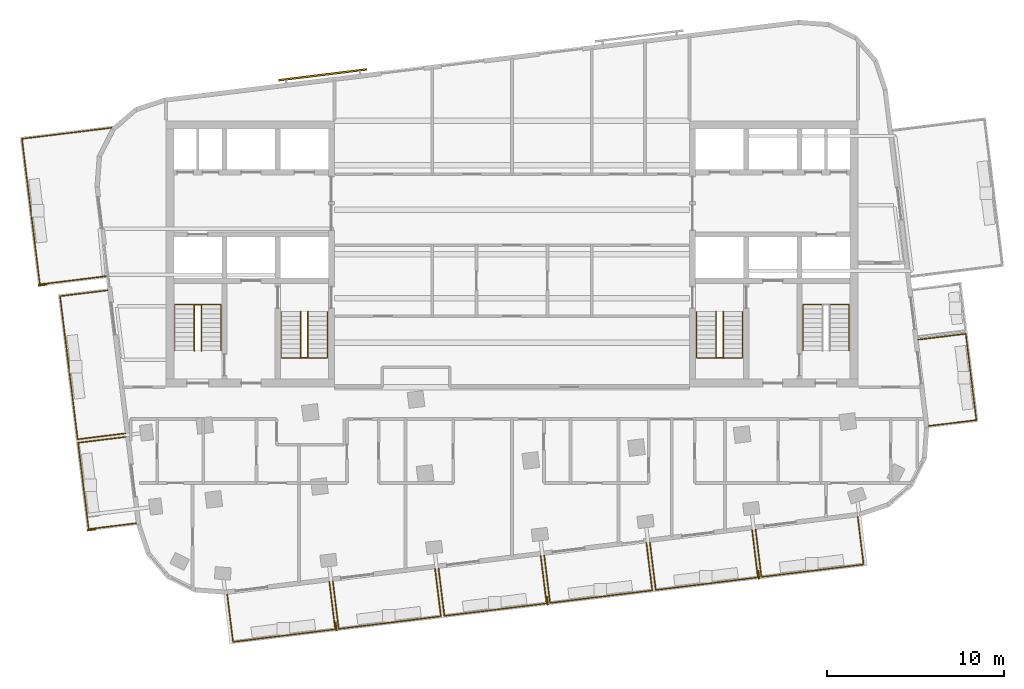
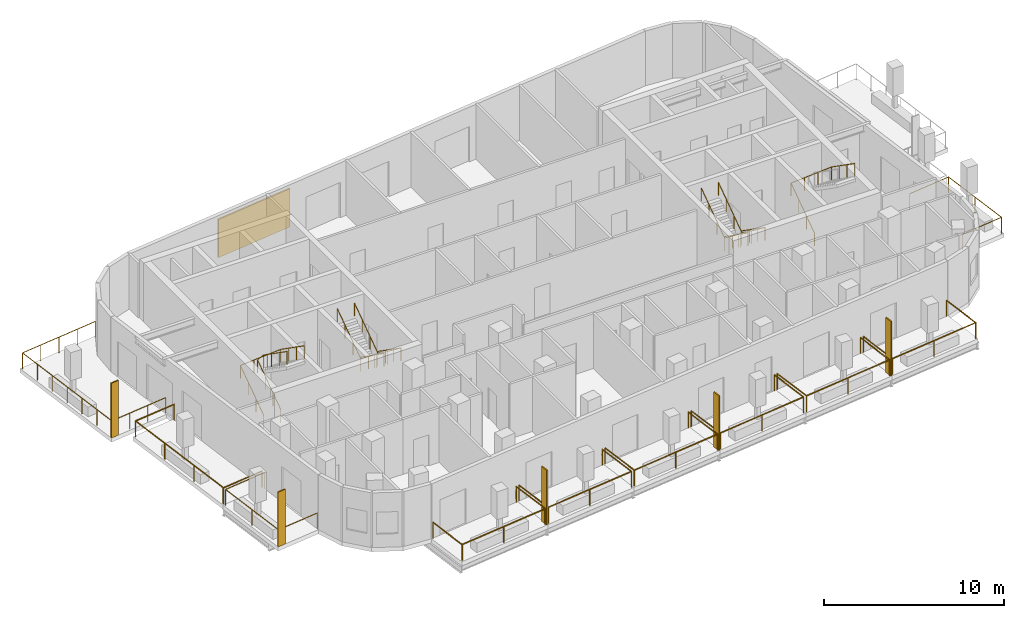
# One storey, part 9 of 11: 17 railings, 6 shading devices.
"""IFC4 building model written with IfcOpenShell, lengths in metres."""

from ifc_helpers import new_model, si_unit, direction, frame, origin, origin_2d, place, context, subcontext, project, spatial, rectangle, circle, extrude, material, layer, layer_set, type_object, element, save


model = new_model("IFC4")

# Units and contexts
model_context = context("Model", 3, precision=1e-05, world=origin(), true_north=direction((0.0, 1.0)))
body_context = subcontext(model_context, "Body", "Model", "MODEL_VIEW")
ifc_project = project(units=[si_unit("LENGTHUNIT", "METRE"), si_unit("AREAUNIT", "SQUARE_METRE"), si_unit("VOLUMEUNIT", "CUBIC_METRE"), si_unit("PLANEANGLEUNIT", "RADIAN"), si_unit("MASSUNIT", "GRAM", prefix="KILO")], contexts=[model_context])

# Site, building, storey
site_placement = place(None, origin())
site = spatial("IfcSite", under=ifc_project, at=site_placement, CompositionType="ELEMENT")
building_placement = place(site_placement, origin())
building = spatial("IfcBuilding", under=site, at=building_placement, Name="Torana Hotel and Residences", CompositionType="ELEMENT")
storey_placement = place(building_placement, frame((0.0, 0.0, 330.60009765625)))
storey = spatial("IfcBuildingStorey", under=building, at=storey_placement, Name="L87", CompositionType="ELEMENT", Elevation=330.60009765625)

# Shading devices
ifc_material_1 = material(Name="Black powder coated aluminium", Category="aluminium")
ifc_layer_1 = layer(ifc_material_1, 0.080078125)
ifc_layer_set_1 = layer_set([ifc_layer_1], Name="FN1 VERTICAL FIN 500x80")
shading_device_type_1 = type_object("IfcShadingDeviceType", Name="FN1 VERTICAL FIN 500x80", PredefinedType="USERDEFINED", material=ifc_layer_set_1)
for number, where, z_axis, x_axis, name in (
    (1, (-9.921142578125, -28.4931640625, 0.0), (0.0, 0.0, 1.0), (-0.99254657704, -0.121865878765, 0.0), "Fin 01"),
    (2, (1.989501953125, -27.03076171875, 0.0), (0.0, 0.0, 1.0), (-0.99254657704, -0.121865878765, 0.0), "Fin 03"),
    (3, (13.89990234375, -25.568359375, 0.0), (0.0, 0.0, 1.0), (-0.99254657704, -0.121865878765, 0.0), "Fin 05"),
    (4, (-23.6982421875, -23.04150390625, 0.0), (0.0, 0.0, 1.0), (-0.121881469635, 0.992544662652, 0.0), "Fin 07"),
    (5, (-26.44970703125, -9.2490234375, 0.0), (0.0, 0.0, 1.0), (-0.121871075725, 0.992545938938, 0.0), "Fin 09"),
):
    element("IfcShadingDevice", number, at=place(storey_placement, frame(where, z_axis=z_axis, x_axis=x_axis)), inside=storey, type_object=shading_device_type_1, Name=name, ObjectType="FIN", PredefinedType="USERDEFINED", context=body_context, shape_type="SweptSolid", body=[
        extrude(rectangle(XDim=0.080078125, YDim=0.5, at=origin_2d()), origin(), (0.0, 0.0, 1.0), 3.719970703125),
    ])

# Railings
ifc_material_2 = material(Name="Laminated glass balustrade with black handrail", Category="glass")
railing_type_1 = type_object("IfcRailingType", Name="GR1 BALCONY GUARD 1100 GLASS", PredefinedType="GUARDRAIL", material=ifc_material_2)
railing_1_placement = place(storey_placement, frame((-10.29150390625, -25.969482421875, 0.0)))
element("IfcRailing", 6, at=railing_1_placement, inside=storey, type_object=railing_type_1, Name="Balcony guard 01", PredefinedType="GUARDRAIL", context=body_context, shape_type="SweptSolid", body=[
    extrude(circle(Radius=0.02392578125, at=origin_2d()), frame((0.0, 0.0, 1.076171875), z_axis=(0.121886613265, -0.992544031017, 0.0), x_axis=(0.992544031017, 0.121886613265, 0.0)), (0.0, 0.0, 1.0), 2.699951171875),
    extrude(circle(Radius=0.02392578125, at=origin_2d()), frame((0.3291015625, -2.679931640625, 1.076171875), z_axis=(-0.992547475119, -0.121858564057, 0.0), x_axis=(0.121858564057, -0.992547475119, 0.0)), (0.0, 0.0, 1.0), 5.800048828125),
    extrude(circle(Radius=0.02392578125, at=origin_2d()), frame((-5.427734375, -3.38671875, 1.076171875), z_axis=(-0.121797534772, 0.992554965996, 0.0), x_axis=(-0.992554965996, -0.121797534772, 0.0)), (0.0, 0.0, 1.0), 2.699951171875),
    extrude(circle(Radius=0.02099609375, at=origin_2d()), origin(), (0.0, 0.0, 1.0), 1.052001953125),
    extrude(circle(Radius=0.02099609375, at=origin_2d()), frame((0.3291015625, -2.679931640625, 0.0)), (0.0, 0.0, 1.0), 1.052001953125),
    extrude(circle(Radius=0.02099609375, at=origin_2d()), frame((-2.54931640625, -3.033203125, 0.0)), (0.0, 0.0, 1.0), 1.052001953125),
    extrude(circle(Radius=0.02099609375, at=origin_2d()), frame((-5.427734375, -3.38671875, 0.0)), (0.0, 0.0, 1.0), 1.052001953125),
    extrude(circle(Radius=0.02099609375, at=origin_2d()), frame((-5.756591796875, -0.706787109375, 0.0)), (0.0, 0.0, 1.0), 1.052001953125),
])
for number, where, name in (
    (7, (-4.336181640625, -25.23828125, 0.0), "Balcony guard 02"),
    (8, (1.619140625, -24.507080078125, 0.0), "Balcony guard 03"),
):
    element("IfcRailing", number, at=place(storey_placement, frame(where)), inside=storey, type_object=railing_type_1, Name=name, PredefinedType="GUARDRAIL", context=body_context, shape_type="SweptSolid", body=[
        extrude(circle(Radius=0.02392578125, at=origin_2d()), frame((0.0, 0.0, 1.076171875), z_axis=(0.121886613265, -0.992544031017, 0.0), x_axis=(0.992544031017, 0.121886613265, 0.0)), (0.0, 0.0, 1.0), 2.699951171875),
        extrude(circle(Radius=0.02392578125, at=origin_2d()), frame((0.3291015625, -2.679931640625, 1.076171875), z_axis=(-0.992547475119, -0.121858564057, 0.0), x_axis=(0.121858564057, -0.992547475119, 0.0)), (0.0, 0.0, 1.0), 5.800048828125),
        extrude(circle(Radius=0.02392578125, at=origin_2d()), frame((-5.427734375, -3.38671875, 1.076171875), z_axis=(-0.121886613265, 0.992544031017, 0.0), x_axis=(-0.992544031017, -0.121886613265, 0.0)), (0.0, 0.0, 1.0), 2.699951171875),
        extrude(circle(Radius=0.02099609375, at=origin_2d()), origin(), (0.0, 0.0, 1.0), 1.052001953125),
        extrude(circle(Radius=0.02099609375, at=origin_2d()), frame((0.3291015625, -2.679931640625, 0.0)), (0.0, 0.0, 1.0), 1.052001953125),
        extrude(circle(Radius=0.02099609375, at=origin_2d()), frame((-2.54931640625, -3.033203125, 0.0)), (0.0, 0.0, 1.0), 1.052001953125),
        extrude(circle(Radius=0.02099609375, at=origin_2d()), frame((-5.427734375, -3.38671875, 0.0)), (0.0, 0.0, 1.0), 1.052001953125),
        extrude(circle(Radius=0.02099609375, at=origin_2d()), frame((-5.7568359375, -0.706787109375, 0.0)), (0.0, 0.0, 1.0), 1.052001953125),
    ])
railing_2_placement = place(storey_placement, frame((7.57421875, -23.77587890625, 0.0)))
element("IfcRailing", 9, at=railing_2_placement, inside=storey, type_object=railing_type_1, Name="Balcony guard 04", PredefinedType="GUARDRAIL", context=body_context, shape_type="SweptSolid", body=[
    extrude(circle(Radius=0.02392578125, at=origin_2d()), frame((0.0, 0.0, 1.076171875), z_axis=(0.121886613265, -0.992544031017, 0.0), x_axis=(0.992544031017, 0.121886613265, 0.0)), (0.0, 0.0, 1.0), 2.699951171875),
    extrude(circle(Radius=0.02392578125, at=origin_2d()), frame((0.3291015625, -2.679931640625, 1.076171875), z_axis=(-0.992546850023, -0.121863655406, 0.0), x_axis=(0.121863655406, -0.992546850023, 0.0)), (0.0, 0.0, 1.0), 5.7998046875),
    extrude(circle(Radius=0.02392578125, at=origin_2d()), frame((-5.427490234375, -3.38671875, 1.076171875), z_axis=(-0.121886613265, 0.992544031017, 0.0), x_axis=(-0.992544031017, -0.121886613265, 0.0)), (0.0, 0.0, 1.0), 2.699951171875),
    extrude(circle(Radius=0.02099609375, at=origin_2d()), origin(), (0.0, 0.0, 1.0), 1.052001953125),
    extrude(circle(Radius=0.02099609375, at=origin_2d()), frame((0.3291015625, -2.679931640625, 0.0)), (0.0, 0.0, 1.0), 1.052001953125),
    extrude(circle(Radius=0.02099609375, at=origin_2d()), frame((-2.54931640625, -3.033203125, 0.0)), (0.0, 0.0, 1.0), 1.052001953125),
    extrude(circle(Radius=0.02099609375, at=origin_2d()), frame((-5.427490234375, -3.38671875, 0.0)), (0.0, 0.0, 1.0), 1.052001953125),
    extrude(circle(Radius=0.02099609375, at=origin_2d()), frame((-5.756591796875, -0.706787109375, 0.0)), (0.0, 0.0, 1.0), 1.052001953125),
])
for number, where, name in (
    (10, (13.529541015625, -23.044677734375, 0.0), "Balcony guard 05"),
    (11, (19.48486328125, -22.3134765625, 0.0), "Balcony guard 06"),
):
    element("IfcRailing", number, at=place(storey_placement, frame(where)), inside=storey, type_object=railing_type_1, Name=name, PredefinedType="GUARDRAIL", context=body_context, shape_type="SweptSolid", body=[
        extrude(circle(Radius=0.02392578125, at=origin_2d()), frame((0.0, 0.0, 1.076171875), z_axis=(0.121886613265, -0.992544031017, 0.0), x_axis=(0.992544031017, 0.121886613265, 0.0)), (0.0, 0.0, 1.0), 2.699951171875),
        extrude(circle(Radius=0.02392578125, at=origin_2d()), frame((0.3291015625, -2.679931640625, 1.076171875), z_axis=(-0.992547475119, -0.121858564057, 0.0), x_axis=(0.121858564057, -0.992547475119, 0.0)), (0.0, 0.0, 1.0), 5.800048828125),
        extrude(circle(Radius=0.02392578125, at=origin_2d()), frame((-5.427734375, -3.38671875, 1.076171875), z_axis=(-0.121797534772, 0.992554965996, 0.0), x_axis=(-0.992554965996, -0.121797534772, 0.0)), (0.0, 0.0, 1.0), 2.699951171875),
        extrude(circle(Radius=0.02099609375, at=origin_2d()), origin(), (0.0, 0.0, 1.0), 1.052001953125),
        extrude(circle(Radius=0.02099609375, at=origin_2d()), frame((0.3291015625, -2.679931640625, 0.0)), (0.0, 0.0, 1.0), 1.052001953125),
        extrude(circle(Radius=0.02099609375, at=origin_2d()), frame((-2.54931640625, -3.033203125, 0.0)), (0.0, 0.0, 1.0), 1.052001953125),
        extrude(circle(Radius=0.02099609375, at=origin_2d()), frame((-5.427734375, -3.38671875, 0.0)), (0.0, 0.0, 1.0), 1.052001953125),
        extrude(circle(Radius=0.02099609375, at=origin_2d()), frame((-5.756591796875, -0.706787109375, 0.0)), (0.0, 0.0, 1.0), 1.052001953125),
    ])
railing_3_placement = place(storey_placement, frame((-21.174560546875, -22.671142578125, 0.0)))
element("IfcRailing", 12, at=railing_3_placement, inside=storey, type_object=railing_type_1, Name="Balcony guard 07", PredefinedType="GUARDRAIL", context=body_context, shape_type="SweptSolid", body=[
    extrude(circle(Radius=0.02392578125, at=origin_2d()), frame((0.0, 0.0, 1.076171875), z_axis=(-0.992544031017, -0.121886613265, 0.0), x_axis=(0.121886613265, -0.992544031017, 0.0)), (0.0, 0.0, 1.0), 2.699951171875),
    extrude(circle(Radius=0.02392578125, at=origin_2d()), frame((-2.679931640625, -0.3291015625, 1.076171875), z_axis=(-0.121869773493, 0.992546098833, 0.0), x_axis=(-0.992546098833, -0.121869773493, 0.0)), (0.0, 0.0, 1.0), 4.900146484375),
    extrude(circle(Radius=0.02392578125, at=origin_2d()), frame((-3.277099609375, 4.534423828125, 1.076171875), z_axis=(0.992554965996, 0.121797534772, 0.0), x_axis=(-0.121797534772, 0.992554965996, 0.0)), (0.0, 0.0, 1.0), 2.699951171875),
    extrude(circle(Radius=0.02099609375, at=origin_2d()), origin(), (0.0, 0.0, 1.0), 1.052001953125),
    extrude(circle(Radius=0.02099609375, at=origin_2d()), frame((-2.679931640625, -0.3291015625, 0.0)), (0.0, 0.0, 1.0), 1.052001953125),
    extrude(circle(Radius=0.02099609375, at=origin_2d()), frame((-2.978515625, 2.1025390625, 0.0)), (0.0, 0.0, 1.0), 1.052001953125),
    extrude(circle(Radius=0.02099609375, at=origin_2d()), frame((-3.277099609375, 4.534423828125, 0.0)), (0.0, 0.0, 1.0), 1.052001953125),
    extrude(circle(Radius=0.02099609375, at=origin_2d()), frame((-0.59716796875, 4.86328125, 0.0)), (0.0, 0.0, 1.0), 1.052001953125),
])
railing_4_placement = place(storey_placement, frame((-21.796142578125, -17.609130859375, 0.0)))
element("IfcRailing", 13, at=railing_4_placement, inside=storey, type_object=railing_type_1, Name="Balcony guard 08", PredefinedType="GUARDRAIL", context=body_context, shape_type="SweptSolid", body=[
    extrude(circle(Radius=0.02392578125, at=origin_2d()), frame((0.0, 0.0, 1.076171875), z_axis=(-0.992544031017, -0.121886613265, 0.0), x_axis=(0.121886613265, -0.992544031017, 0.0)), (0.0, 0.0, 1.0), 2.699951171875),
    extrude(circle(Radius=0.02392578125, at=origin_2d()), frame((-2.679931640625, -0.3291015625, 1.076171875), z_axis=(-0.121845081243, 0.992549130359, 0.0), x_axis=(-0.992549130359, -0.121845081243, 0.0)), (0.0, 0.0, 1.0), 8.125),
    extrude(circle(Radius=0.02392578125, at=origin_2d()), frame((-3.669921875, 7.7353515625, 1.076171875), z_axis=(0.992554965996, 0.121797534772, 0.0), x_axis=(-0.121797534772, 0.992554965996, 0.0)), (0.0, 0.0, 1.0), 2.699951171875),
    extrude(circle(Radius=0.02099609375, at=origin_2d()), origin(), (0.0, 0.0, 1.0), 1.052001953125),
    extrude(circle(Radius=0.02099609375, at=origin_2d()), frame((-2.679931640625, -0.3291015625, 0.0)), (0.0, 0.0, 1.0), 1.052001953125),
    extrude(circle(Radius=0.02099609375, at=origin_2d()), frame((-3.010009765625, 2.359130859375, 0.0)), (0.0, 0.0, 1.0), 1.052001953125),
    extrude(circle(Radius=0.02099609375, at=origin_2d()), frame((-3.33984375, 5.047119140625, 0.0)), (0.0, 0.0, 1.0), 1.052001953125),
    extrude(circle(Radius=0.02099609375, at=origin_2d()), frame((-3.669921875, 7.7353515625, 0.0)), (0.0, 0.0, 1.0), 1.052001953125),
    extrude(circle(Radius=0.02099609375, at=origin_2d()), frame((-0.989990234375, 8.064208984375, 0.0)), (0.0, 0.0, 1.0), 1.052001953125),
])
railing_5_placement = place(storey_placement, frame((-22.8837890625, -8.750732421875, 0.0)))
element("IfcRailing", 14, at=railing_5_placement, inside=storey, type_object=railing_type_1, Name="Balcony guard 09", PredefinedType="GUARDRAIL", context=body_context, shape_type="SweptSolid", body=[
    extrude(circle(Radius=0.02392578125, at=origin_2d()), frame((0.0, 0.0, 1.076171875), z_axis=(-0.992544975267, -0.121878923824, 0.0), x_axis=(0.121878923824, -0.992544975267, 0.0)), (0.0, 0.0, 1.0), 3.75),
    extrude(circle(Radius=0.02392578125, at=origin_2d()), frame((-3.721923828125, -0.45703125, 1.076171875), z_axis=(-0.121878024543, 0.992545085693, 0.0), x_axis=(-0.992545085693, -0.121878024543, 0.0)), (0.0, 0.0, 1.0), 8.262939453125),
    extrude(circle(Radius=0.02392578125, at=origin_2d()), frame((-4.72900390625, 7.744384765625, 1.076171875), z_axis=(0.992542638755, 0.12189795016, 0.0), x_axis=(-0.12189795016, 0.992542638755, 0.0)), (0.0, 0.0, 1.0), 5.0771484375),
    extrude(circle(Radius=0.02099609375, at=origin_2d()), origin(), (0.0, 0.0, 1.0), 1.052001953125),
    extrude(circle(Radius=0.02099609375, at=origin_2d()), frame((-1.24072265625, -0.15234375, 0.0)), (0.0, 0.0, 1.0), 1.052001953125),
    extrude(circle(Radius=0.02099609375, at=origin_2d()), frame((-2.481201171875, -0.3046875, 0.0)), (0.0, 0.0, 1.0), 1.052001953125),
    extrude(circle(Radius=0.02099609375, at=origin_2d()), frame((-3.721923828125, -0.45703125, 0.0)), (0.0, 0.0, 1.0), 1.052001953125),
    extrude(circle(Radius=0.02099609375, at=origin_2d()), frame((-3.8896484375, 0.909912109375, 0.0)), (0.0, 0.0, 1.0), 1.052001953125),
    extrude(circle(Radius=0.02099609375, at=origin_2d()), frame((-4.0576171875, 2.27685546875, 0.0)), (0.0, 0.0, 1.0), 1.052001953125),
    extrude(circle(Radius=0.02099609375, at=origin_2d()), frame((-4.2255859375, 3.6435546875, 0.0)), (0.0, 0.0, 1.0), 1.052001953125),
    extrude(circle(Radius=0.02099609375, at=origin_2d()), frame((-4.393310546875, 5.010498046875, 0.0)), (0.0, 0.0, 1.0), 1.052001953125),
    extrude(circle(Radius=0.02099609375, at=origin_2d()), frame((-4.56103515625, 6.37744140625, 0.0)), (0.0, 0.0, 1.0), 1.052001953125),
    extrude(circle(Radius=0.02099609375, at=origin_2d()), frame((-4.72900390625, 7.744384765625, 0.0)), (0.0, 0.0, 1.0), 1.052001953125),
    extrude(circle(Radius=0.02099609375, at=origin_2d()), frame((-3.46923828125, 7.899169921875, 0.0)), (0.0, 0.0, 1.0), 1.052001953125),
    extrude(circle(Radius=0.02099609375, at=origin_2d()), frame((-2.20947265625, 8.0537109375, 0.0)), (0.0, 0.0, 1.0), 1.052001953125),
    extrude(circle(Radius=0.02099609375, at=origin_2d()), frame((-0.949462890625, 8.20849609375, 0.0)), (0.0, 0.0, 1.0), 1.052001953125),
    extrude(circle(Radius=0.02099609375, at=origin_2d()), frame((0.310302734375, 8.36328125, 0.0)), (0.0, 0.0, 1.0), 1.052001953125),
])
railing_6_placement = place(storey_placement, frame((22.892822265625, -12.32373046875, 0.0)))
element("IfcRailing", 15, at=railing_6_placement, inside=storey, type_object=railing_type_1, Name="Balcony guard 10", PredefinedType="GUARDRAIL", context=body_context, shape_type="SweptSolid", body=[
    extrude(circle(Radius=0.02392578125, at=origin_2d()), frame((0.0, 0.0, 1.076171875), z_axis=(0.992544031017, 0.121886613265, 0.0), x_axis=(-0.121886613265, 0.992544031017, 0.0)), (0.0, 0.0, 1.0), 2.699951171875),
    extrude(circle(Radius=0.02392578125, at=origin_2d()), frame((2.679931640625, 0.3291015625, 1.076171875), z_axis=(0.121869773493, -0.992546098833, 0.0), x_axis=(0.992546098833, 0.121869773493, 0.0)), (0.0, 0.0, 1.0), 4.900146484375),
    extrude(circle(Radius=0.02392578125, at=origin_2d()), frame((3.277099609375, -4.534423828125, 1.076171875), z_axis=(-0.992554965996, -0.121797534772, 0.0), x_axis=(0.121797534772, -0.992554965996, 0.0)), (0.0, 0.0, 1.0), 2.699951171875),
    extrude(circle(Radius=0.02099609375, at=origin_2d()), origin(), (0.0, 0.0, 1.0), 1.052001953125),
    extrude(circle(Radius=0.02099609375, at=origin_2d()), frame((2.679931640625, 0.3291015625, 0.0)), (0.0, 0.0, 1.0), 1.052001953125),
    extrude(circle(Radius=0.02099609375, at=origin_2d()), frame((2.978515625, -2.1025390625, 0.0)), (0.0, 0.0, 1.0), 1.052001953125),
    extrude(circle(Radius=0.02099609375, at=origin_2d()), frame((3.277099609375, -4.534423828125, 0.0)), (0.0, 0.0, 1.0), 1.052001953125),
    extrude(circle(Radius=0.02099609375, at=origin_2d()), frame((0.59716796875, -4.86328125, 0.0)), (0.0, 0.0, 1.0), 1.052001953125),
])

# Shading device
ifc_material_3 = material(Name="Concrete C40/50 precast", Category="concrete")
ifc_layer_2 = layer(ifc_material_3, 0.10009765625)
ifc_layer_set_2 = layer_set([ifc_layer_2], Name="SC1 PERFORATED BLOCK SCREEN PANEL 100")
shading_device_type_2 = type_object("IfcShadingDeviceType", Name="SC1 PERFORATED BLOCK SCREEN PANEL 100", PredefinedType="USERDEFINED", material=ifc_layer_set_2)
shading_device_placement = place(storey_placement, frame((-10.663330078125, 2.59814453125, 0.499755859375), z_axis=(0.0, 0.0, 1.0), x_axis=(-0.99254657704, -0.121865878765, 0.0)))
element("IfcShadingDevice", 16, at=shading_device_placement, inside=storey, type_object=shading_device_type_2, Name="Perforated block screen L87", ObjectType="SCREEN", PredefinedType="USERDEFINED", context=body_context, shape_type="SweptSolid", body=[
    extrude(rectangle(XDim=5.0, YDim=0.10009765625, at=origin_2d()), origin(), (0.0, 0.0, 1.0), 2.60009765625),
])

# Railings
ifc_material_4 = material(Name="Stainless steel 316", Category="steel")
railing_type_2 = type_object("IfcRailingType", Name="STAIR HANDRAIL HR1 900", PredefinedType="HANDRAIL", material=ifc_material_4)
railing_7_placement = place(storey_placement, frame((-10.39990234375, -10.75, 0.181640625)))
element("IfcRailing", 17, at=railing_7_placement, inside=storey, type_object=railing_type_2, Name="Handrail ST1 L87 O1", PredefinedType="HANDRAIL", context=body_context, shape_type="SweptSolid", body=[
    extrude(circle(Radius=0.02392578125, at=origin_2d()), frame((0.0, 0.0, 0.8759765625), z_axis=(0.0, -0.819484887739, 0.573100792852), x_axis=(1.0, 0.0, 0.0)), (0.0, 0.0, 1.0), 3.1728515625),
    extrude(circle(Radius=0.02392578125, at=origin_2d()), frame((0.0, -2.60009765625, 2.6943359375), z_axis=(-0.997568744571, 0.0, 0.06968930948), x_axis=(0.0, -1.0, 0.0)), (0.0, 0.0, 1.0), 2.6064453125),
    extrude(circle(Radius=0.02392578125, at=origin_2d()), frame((-2.60009765625, -2.60009765625, 2.8759765625), z_axis=(0.0, 0.819484887739, 0.573100792852), x_axis=(-1.0, 0.0, 0.0)), (0.0, 0.0, 1.0), 3.1728515625),
    extrude(circle(Radius=0.02099609375, at=origin_2d()), origin(), (0.0, 0.0, 1.0), 0.851806640625),
    extrude(circle(Radius=0.02099609375, at=origin_2d()), frame((0.0, -0.86669921875, 0.606201171875)), (0.0, 0.0, 1.0), 0.851806640625),
    extrude(circle(Radius=0.02099609375, at=origin_2d()), frame((0.0, -1.7333984375, 1.212158203125)), (0.0, 0.0, 1.0), 0.851806640625),
    extrude(circle(Radius=0.02099609375, at=origin_2d()), frame((0.0, -2.60009765625, 1.818359375)), (0.0, 0.0, 1.0), 0.851806640625),
    extrude(circle(Radius=0.02099609375, at=origin_2d()), frame((-0.86669921875, -2.60009765625, 1.87890625)), (0.0, 0.0, 1.0), 0.851806640625),
    extrude(circle(Radius=0.02099609375, at=origin_2d()), frame((-1.7333984375, -2.60009765625, 1.939453125)), (0.0, 0.0, 1.0), 0.851806640625),
    extrude(circle(Radius=0.02099609375, at=origin_2d()), frame((-2.60009765625, -2.60009765625, 2.0)), (0.0, 0.0, 1.0), 0.851806640625),
    extrude(circle(Radius=0.02099609375, at=origin_2d()), frame((-2.60009765625, -1.7333984375, 2.606201171875)), (0.0, 0.0, 1.0), 0.851806640625),
    extrude(circle(Radius=0.02099609375, at=origin_2d()), frame((-2.60009765625, -0.86669921875, 3.212158203125)), (0.0, 0.0, 1.0), 0.851806640625),
    extrude(circle(Radius=0.02099609375, at=origin_2d()), frame((-2.60009765625, 0.0, 3.818359375)), (0.0, 0.0, 1.0), 0.851806640625),
])
railing_8_placement = place(storey_placement, frame((-11.5, -10.75, 0.181640625)))
element("IfcRailing", 18, at=railing_8_placement, inside=storey, type_object=railing_type_2, Name="Handrail ST1 L87 I1", PredefinedType="HANDRAIL", context=body_context, shape_type="SweptSolid", body=[
    extrude(circle(Radius=0.02392578125, at=origin_2d()), frame((0.0, 0.0, 0.8759765625), z_axis=(0.0, -0.819484887739, 0.573100792852), x_axis=(1.0, 0.0, 0.0)), (0.0, 0.0, 1.0), 3.1728515625),
    extrude(circle(Radius=0.02392578125, at=origin_2d()), frame((0.0, -2.60009765625, 2.6943359375), z_axis=(-0.910480658332, 0.0, 0.413551654334), x_axis=(0.0, -1.0, 0.0)), (0.0, 0.0, 1.0), 0.439208984375),
    extrude(circle(Radius=0.02392578125, at=origin_2d()), frame((-0.39990234375, -2.60009765625, 2.8759765625), z_axis=(0.0, 0.819484887739, 0.573100792852), x_axis=(-1.0, 0.0, 0.0)), (0.0, 0.0, 1.0), 3.1728515625),
    extrude(circle(Radius=0.02099609375, at=origin_2d()), origin(), (0.0, 0.0, 1.0), 0.851806640625),
    extrude(circle(Radius=0.02099609375, at=origin_2d()), frame((0.0, -0.86669921875, 0.606201171875)), (0.0, 0.0, 1.0), 0.851806640625),
    extrude(circle(Radius=0.02099609375, at=origin_2d()), frame((0.0, -1.7333984375, 1.212158203125)), (0.0, 0.0, 1.0), 0.851806640625),
    extrude(circle(Radius=0.02099609375, at=origin_2d()), frame((0.0, -2.60009765625, 1.818359375)), (0.0, 0.0, 1.0), 0.851806640625),
    extrude(circle(Radius=0.02099609375, at=origin_2d()), frame((-0.39990234375, -2.60009765625, 2.0)), (0.0, 0.0, 1.0), 0.851806640625),
    extrude(circle(Radius=0.02099609375, at=origin_2d()), frame((-0.39990234375, -1.7333984375, 2.606201171875)), (0.0, 0.0, 1.0), 0.851806640625),
    extrude(circle(Radius=0.02099609375, at=origin_2d()), frame((-0.39990234375, -0.86669921875, 3.212158203125)), (0.0, 0.0, 1.0), 0.851806640625),
    extrude(circle(Radius=0.02099609375, at=origin_2d()), frame((-0.39990234375, 0.0, 3.818359375)), (0.0, 0.0, 1.0), 0.851806640625),
])
railing_9_placement = place(storey_placement, frame((-19.0, -12.949951171875, 0.181640625)))
element("IfcRailing", 19, at=railing_9_placement, inside=storey, type_object=railing_type_2, Name="Handrail ST2 L87 O1", PredefinedType="HANDRAIL", context=body_context, shape_type="SweptSolid", body=[
    extrude(circle(Radius=0.02392578125, at=origin_2d()), frame((0.0, 0.0, 0.8759765625), z_axis=(0.0, 0.819459612548, 0.573136932506), x_axis=(-1.0, 0.0, 0.0)), (0.0, 0.0, 1.0), 3.172607421875),
    extrude(circle(Radius=0.02392578125, at=origin_2d()), frame((0.0, 2.599853515625, 2.6943359375), z_axis=(0.997568744571, 0.0, 0.06968930948), x_axis=(0.0, 1.0, 0.0)), (0.0, 0.0, 1.0), 2.6064453125),
    extrude(circle(Radius=0.02392578125, at=origin_2d()), frame((2.60009765625, 2.599853515625, 2.8759765625), z_axis=(0.0, -0.819459612548, 0.573136932506), x_axis=(1.0, 0.0, 0.0)), (0.0, 0.0, 1.0), 3.172607421875),
    extrude(circle(Radius=0.02099609375, at=origin_2d()), origin(), (0.0, 0.0, 1.0), 0.851806640625),
    extrude(circle(Radius=0.02099609375, at=origin_2d()), frame((0.0, 0.86669921875, 0.606201171875)), (0.0, 0.0, 1.0), 0.851806640625),
    extrude(circle(Radius=0.02099609375, at=origin_2d()), frame((0.0, 1.733154296875, 1.212158203125)), (0.0, 0.0, 1.0), 0.851806640625),
    extrude(circle(Radius=0.02099609375, at=origin_2d()), frame((0.0, 2.599853515625, 1.818359375)), (0.0, 0.0, 1.0), 0.851806640625),
    extrude(circle(Radius=0.02099609375, at=origin_2d()), frame((0.86669921875, 2.599853515625, 1.87890625)), (0.0, 0.0, 1.0), 0.851806640625),
    extrude(circle(Radius=0.02099609375, at=origin_2d()), frame((1.7333984375, 2.599853515625, 1.939453125)), (0.0, 0.0, 1.0), 0.851806640625),
    extrude(circle(Radius=0.02099609375, at=origin_2d()), frame((2.60009765625, 2.599853515625, 2.0)), (0.0, 0.0, 1.0), 0.851806640625),
    extrude(circle(Radius=0.02099609375, at=origin_2d()), frame((2.60009765625, 1.733154296875, 2.606201171875)), (0.0, 0.0, 1.0), 0.851806640625),
    extrude(circle(Radius=0.02099609375, at=origin_2d()), frame((2.60009765625, 0.86669921875, 3.212158203125)), (0.0, 0.0, 1.0), 0.851806640625),
    extrude(circle(Radius=0.02099609375, at=origin_2d()), frame((2.60009765625, 0.0, 3.818359375)), (0.0, 0.0, 1.0), 0.851806640625),
])
railing_10_placement = place(storey_placement, frame((-17.89990234375, -12.949951171875, 0.181640625)))
element("IfcRailing", 20, at=railing_10_placement, inside=storey, type_object=railing_type_2, Name="Handrail ST2 L87 I1", PredefinedType="HANDRAIL", context=body_context, shape_type="SweptSolid", body=[
    extrude(circle(Radius=0.02392578125, at=origin_2d()), frame((0.0, 0.0, 0.8759765625), z_axis=(0.0, 0.819459612548, 0.573136932506), x_axis=(-1.0, 0.0, 0.0)), (0.0, 0.0, 1.0), 3.172607421875),
    extrude(circle(Radius=0.02392578125, at=origin_2d()), frame((0.0, 2.599853515625, 2.6943359375), z_axis=(0.910480658332, 0.0, 0.413551654334), x_axis=(0.0, 1.0, 0.0)), (0.0, 0.0, 1.0), 0.439208984375),
    extrude(circle(Radius=0.02392578125, at=origin_2d()), frame((0.39990234375, 2.599853515625, 2.8759765625), z_axis=(0.0, -0.819459612548, 0.573136932506), x_axis=(1.0, 0.0, 0.0)), (0.0, 0.0, 1.0), 3.172607421875),
    extrude(circle(Radius=0.02099609375, at=origin_2d()), origin(), (0.0, 0.0, 1.0), 0.851806640625),
    extrude(circle(Radius=0.02099609375, at=origin_2d()), frame((0.0, 0.86669921875, 0.606201171875)), (0.0, 0.0, 1.0), 0.851806640625),
    extrude(circle(Radius=0.02099609375, at=origin_2d()), frame((0.0, 1.733154296875, 1.212158203125)), (0.0, 0.0, 1.0), 0.851806640625),
    extrude(circle(Radius=0.02099609375, at=origin_2d()), frame((0.0, 2.599853515625, 1.818359375)), (0.0, 0.0, 1.0), 0.851806640625),
    extrude(circle(Radius=0.02099609375, at=origin_2d()), frame((0.39990234375, 2.599853515625, 2.0)), (0.0, 0.0, 1.0), 0.851806640625),
    extrude(circle(Radius=0.02099609375, at=origin_2d()), frame((0.39990234375, 1.733154296875, 2.606201171875)), (0.0, 0.0, 1.0), 0.851806640625),
    extrude(circle(Radius=0.02099609375, at=origin_2d()), frame((0.39990234375, 0.86669921875, 3.212158203125)), (0.0, 0.0, 1.0), 0.851806640625),
    extrude(circle(Radius=0.02099609375, at=origin_2d()), frame((0.39990234375, 0.0, 3.818359375)), (0.0, 0.0, 1.0), 0.851806640625),
])
railing_11_placement = place(storey_placement, frame((13.0, -10.75, 0.181640625)))
element("IfcRailing", 21, at=railing_11_placement, inside=storey, type_object=railing_type_2, Name="Handrail ST3 L87 O1", PredefinedType="HANDRAIL", context=body_context, shape_type="SweptSolid", body=[
    extrude(circle(Radius=0.02392578125, at=origin_2d()), frame((0.0, 0.0, 0.8759765625), z_axis=(0.0, -0.819484887739, 0.573100792852), x_axis=(1.0, 0.0, 0.0)), (0.0, 0.0, 1.0), 3.1728515625),
    extrude(circle(Radius=0.02392578125, at=origin_2d()), frame((0.0, -2.60009765625, 2.6943359375), z_axis=(-0.997568744571, 0.0, 0.06968930948), x_axis=(0.0, -1.0, 0.0)), (0.0, 0.0, 1.0), 2.6064453125),
    extrude(circle(Radius=0.02392578125, at=origin_2d()), frame((-2.60009765625, -2.60009765625, 2.8759765625), z_axis=(0.0, 0.819484887739, 0.573100792852), x_axis=(-1.0, 0.0, 0.0)), (0.0, 0.0, 1.0), 3.1728515625),
    extrude(circle(Radius=0.02099609375, at=origin_2d()), origin(), (0.0, 0.0, 1.0), 0.851806640625),
    extrude(circle(Radius=0.02099609375, at=origin_2d()), frame((0.0, -0.86669921875, 0.606201171875)), (0.0, 0.0, 1.0), 0.851806640625),
    extrude(circle(Radius=0.02099609375, at=origin_2d()), frame((0.0, -1.7333984375, 1.212158203125)), (0.0, 0.0, 1.0), 0.851806640625),
    extrude(circle(Radius=0.02099609375, at=origin_2d()), frame((0.0, -2.60009765625, 1.818359375)), (0.0, 0.0, 1.0), 0.851806640625),
    extrude(circle(Radius=0.02099609375, at=origin_2d()), frame((-0.86669921875, -2.60009765625, 1.87890625)), (0.0, 0.0, 1.0), 0.851806640625),
    extrude(circle(Radius=0.02099609375, at=origin_2d()), frame((-1.7333984375, -2.60009765625, 1.939453125)), (0.0, 0.0, 1.0), 0.851806640625),
    extrude(circle(Radius=0.02099609375, at=origin_2d()), frame((-2.60009765625, -2.60009765625, 2.0)), (0.0, 0.0, 1.0), 0.851806640625),
    extrude(circle(Radius=0.02099609375, at=origin_2d()), frame((-2.60009765625, -1.7333984375, 2.606201171875)), (0.0, 0.0, 1.0), 0.851806640625),
    extrude(circle(Radius=0.02099609375, at=origin_2d()), frame((-2.60009765625, -0.86669921875, 3.212158203125)), (0.0, 0.0, 1.0), 0.851806640625),
    extrude(circle(Radius=0.02099609375, at=origin_2d()), frame((-2.60009765625, 0.0, 3.818359375)), (0.0, 0.0, 1.0), 0.851806640625),
])
railing_12_placement = place(storey_placement, frame((11.89990234375, -10.75, 0.181640625)))
element("IfcRailing", 22, at=railing_12_placement, inside=storey, type_object=railing_type_2, Name="Handrail ST3 L87 I1", PredefinedType="HANDRAIL", context=body_context, shape_type="SweptSolid", body=[
    extrude(circle(Radius=0.02392578125, at=origin_2d()), frame((0.0, 0.0, 0.8759765625), z_axis=(0.0, -0.819484887739, 0.573100792852), x_axis=(1.0, 0.0, 0.0)), (0.0, 0.0, 1.0), 3.1728515625),
    extrude(circle(Radius=0.02392578125, at=origin_2d()), frame((0.0, -2.60009765625, 2.6943359375), z_axis=(-0.910480658332, 0.0, 0.413551654334), x_axis=(0.0, -1.0, 0.0)), (0.0, 0.0, 1.0), 0.439208984375),
    extrude(circle(Radius=0.02392578125, at=origin_2d()), frame((-0.39990234375, -2.60009765625, 2.8759765625), z_axis=(0.0, 0.819484887739, 0.573100792852), x_axis=(-1.0, 0.0, 0.0)), (0.0, 0.0, 1.0), 3.1728515625),
    extrude(circle(Radius=0.02099609375, at=origin_2d()), origin(), (0.0, 0.0, 1.0), 0.851806640625),
    extrude(circle(Radius=0.02099609375, at=origin_2d()), frame((0.0, -0.86669921875, 0.606201171875)), (0.0, 0.0, 1.0), 0.851806640625),
    extrude(circle(Radius=0.02099609375, at=origin_2d()), frame((0.0, -1.7333984375, 1.212158203125)), (0.0, 0.0, 1.0), 0.851806640625),
    extrude(circle(Radius=0.02099609375, at=origin_2d()), frame((0.0, -2.60009765625, 1.818359375)), (0.0, 0.0, 1.0), 0.851806640625),
    extrude(circle(Radius=0.02099609375, at=origin_2d()), frame((-0.39990234375, -2.60009765625, 2.0)), (0.0, 0.0, 1.0), 0.851806640625),
    extrude(circle(Radius=0.02099609375, at=origin_2d()), frame((-0.39990234375, -1.7333984375, 2.606201171875)), (0.0, 0.0, 1.0), 0.851806640625),
    extrude(circle(Radius=0.02099609375, at=origin_2d()), frame((-0.39990234375, -0.86669921875, 3.212158203125)), (0.0, 0.0, 1.0), 0.851806640625),
    extrude(circle(Radius=0.02099609375, at=origin_2d()), frame((-0.39990234375, 0.0, 3.818359375)), (0.0, 0.0, 1.0), 0.851806640625),
])
railing_13_placement = place(storey_placement, frame((16.39990234375, -12.949951171875, 0.181640625)))
element("IfcRailing", 23, at=railing_13_placement, inside=storey, type_object=railing_type_2, Name="Handrail ST4 L87 O1", PredefinedType="HANDRAIL", context=body_context, shape_type="SweptSolid", body=[
    extrude(circle(Radius=0.02392578125, at=origin_2d()), frame((0.0, 0.0, 0.8759765625), z_axis=(0.0, 0.819459612548, 0.573136932506), x_axis=(-1.0, 0.0, 0.0)), (0.0, 0.0, 1.0), 3.172607421875),
    extrude(circle(Radius=0.02392578125, at=origin_2d()), frame((0.0, 2.599853515625, 2.6943359375), z_axis=(0.997568744571, 0.0, 0.06968930948), x_axis=(0.0, 1.0, 0.0)), (0.0, 0.0, 1.0), 2.6064453125),
    extrude(circle(Radius=0.02392578125, at=origin_2d()), frame((2.60009765625, 2.599853515625, 2.8759765625), z_axis=(0.0, -0.819459612548, 0.573136932506), x_axis=(1.0, 0.0, 0.0)), (0.0, 0.0, 1.0), 3.172607421875),
    extrude(circle(Radius=0.02099609375, at=origin_2d()), origin(), (0.0, 0.0, 1.0), 0.851806640625),
    extrude(circle(Radius=0.02099609375, at=origin_2d()), frame((0.0, 0.86669921875, 0.606201171875)), (0.0, 0.0, 1.0), 0.851806640625),
    extrude(circle(Radius=0.02099609375, at=origin_2d()), frame((0.0, 1.733154296875, 1.212158203125)), (0.0, 0.0, 1.0), 0.851806640625),
    extrude(circle(Radius=0.02099609375, at=origin_2d()), frame((0.0, 2.599853515625, 1.818359375)), (0.0, 0.0, 1.0), 0.851806640625),
    extrude(circle(Radius=0.02099609375, at=origin_2d()), frame((0.86669921875, 2.599853515625, 1.87890625)), (0.0, 0.0, 1.0), 0.851806640625),
    extrude(circle(Radius=0.02099609375, at=origin_2d()), frame((1.7333984375, 2.599853515625, 1.939453125)), (0.0, 0.0, 1.0), 0.851806640625),
    extrude(circle(Radius=0.02099609375, at=origin_2d()), frame((2.60009765625, 2.599853515625, 2.0)), (0.0, 0.0, 1.0), 0.851806640625),
    extrude(circle(Radius=0.02099609375, at=origin_2d()), frame((2.60009765625, 1.733154296875, 2.606201171875)), (0.0, 0.0, 1.0), 0.851806640625),
    extrude(circle(Radius=0.02099609375, at=origin_2d()), frame((2.60009765625, 0.86669921875, 3.212158203125)), (0.0, 0.0, 1.0), 0.851806640625),
    extrude(circle(Radius=0.02099609375, at=origin_2d()), frame((2.60009765625, 0.0, 3.818359375)), (0.0, 0.0, 1.0), 0.851806640625),
])

save(model, "model.ifc")
